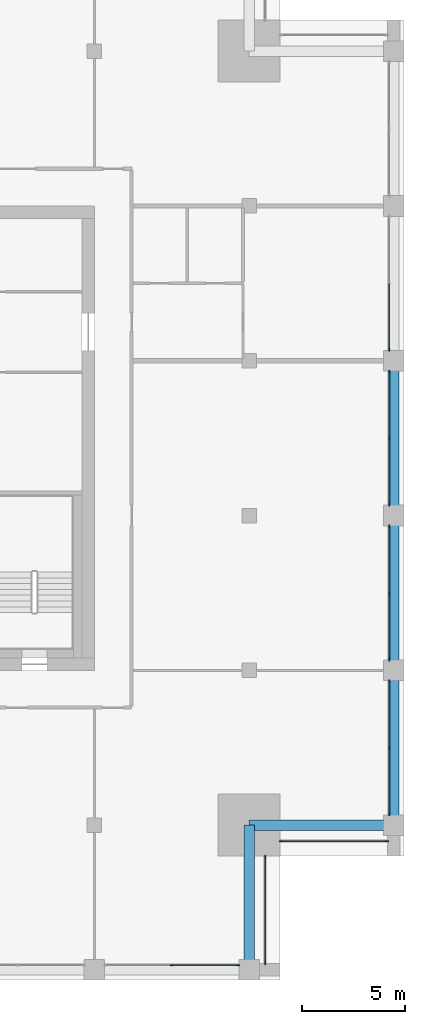
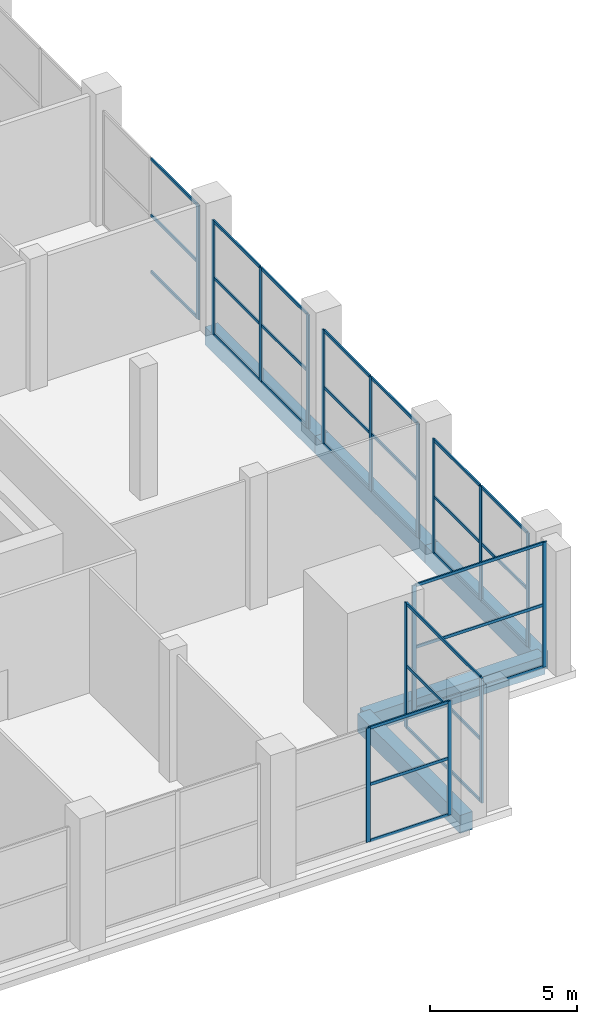
# One storey, part 4 of 15: 46 members, 5 beams, 7 elements without a shape of their own.
"""IFC4 building model written with IfcOpenShell, lengths in metres."""

from ifc_helpers import new_model, si_unit, direction, frame, origin, origin_2d, place, context, subcontext, project, spatial, rectangle, extrude, material, layer, layer_set, material_profile, profile_set, type_object, element, aggregate, save


model = new_model("IFC4")

# Units and contexts
model_context = context("Model", 3, precision=1e-05, world=origin(), true_north=direction((0.0, 1.0)))
body_context = subcontext(model_context, "Body", "Model", "MODEL_VIEW")
ifc_project = project(units=[si_unit("LENGTHUNIT", "METRE"), si_unit("AREAUNIT", "SQUARE_METRE"), si_unit("VOLUMEUNIT", "CUBIC_METRE"), si_unit("PLANEANGLEUNIT", "RADIAN"), si_unit("MASSUNIT", "GRAM", prefix="KILO")], contexts=[model_context])

# Site, building, storey
site_placement = place(None, origin())
site = spatial("IfcSite", under=ifc_project, at=site_placement, CompositionType="ELEMENT")
building_placement = place(site_placement, origin())
building = spatial("IfcBuilding", under=site, at=building_placement, Name="Tamorin Gate", CompositionType="ELEMENT")
storey_placement = place(building_placement, frame((0.0, 0.0, 292.199951171875)))
storey = spatial("IfcBuildingStorey", under=building, at=storey_placement, Name="L73", CompositionType="ELEMENT", Elevation=292.199951171875)

# Curtain wall, members
ifc_material_1 = material(Name="Aluminium mullions and transoms with clear glass", Category="aluminium")
ifc_layer = layer(ifc_material_1, 0.159912109375)
ifc_layer_set = layer_set([ifc_layer], Name="Curtain wall system CW3")
curtain_wall_type = type_object("IfcCurtainWallType", Name="Curtain wall system CW3", PredefinedType="NOTDEFINED", material=ifc_layer_set)
curtain_wall_1_placement = place(storey_placement, origin())
curtain_wall_1 = element("IfcCurtainWall", 1, at=curtain_wall_1_placement, inside=storey, type_object=curtain_wall_type, Name="Curtain wall", PredefinedType="NOTDEFINED")
ifc_material_2 = material(Name="Aluminium", Category="aluminium")
ifc_material_profile_1 = material_profile(ifc_material_2, rectangle(XDim=0.06005859375, YDim=0.159912109375, at=origin_2d()), Name="RECT 60x160")
ifc_profile_set_1 = profile_set([ifc_material_profile_1], Name="Aluminium")
member_type_1 = type_object("IfcMemberType", Name="Aluminium mullion 60x160", PredefinedType="MULLION", material=ifc_profile_set_1)
member_1_placement = place(storey_placement, frame((63.75, 45.719970703125, 0.0), z_axis=(0.0, 0.0, 1.0), x_axis=(0.0, 1.0, 0.0)))
member_1 = element("IfcMember", 2, at=member_1_placement, type_object=member_type_1, Name="CW3 mullion 2", PredefinedType="MULLION", context=body_context, shape_type="SweptSolid", body=[
    extrude(rectangle(XDim=0.06005859375, YDim=0.159912109375, at=origin_2d()), origin(), (0.0, 0.0, 1.0), 4.75),
])
member_2_placement = place(storey_placement, frame((66.969970703125, 45.719970703125, 0.0), z_axis=(0.0, 0.0, 1.0), x_axis=(0.0, 1.0, 0.0)))
member_2 = element("IfcMember", 3, at=member_2_placement, type_object=member_type_1, Name="CW3 mullion 3", PredefinedType="MULLION", context=body_context, shape_type="SweptSolid", body=[
    extrude(rectangle(XDim=0.06005859375, YDim=0.159912109375, at=origin_2d()), origin(), (0.0, 0.0, 1.0), 4.75),
])

curtain_wall_2_placement = place(storey_placement, origin())
curtain_wall_2 = element("IfcCurtainWall", 4, at=curtain_wall_2_placement, inside=storey, type_object=curtain_wall_type, Name="Curtain wall", PredefinedType="NOTDEFINED")
member_3_placement = place(storey_placement, frame((68.280029296875, 45.830078125, 0.0), z_axis=(0.0, 0.0, 1.0), x_axis=(-1.0, 0.0, 0.0)))
member_3 = element("IfcMember", 5, at=member_3_placement, type_object=member_type_1, Name="CW3 mullion 1", PredefinedType="MULLION", context=body_context, shape_type="SweptSolid", body=[
    extrude(rectangle(XDim=0.06005859375, YDim=0.159912109375, at=origin_2d()), origin(), (0.0, 0.0, 1.0), 5.199951171875),
])
member_4_placement = place(storey_placement, frame((68.280029296875, 50.969970703125, 0.0), z_axis=(0.0, 0.0, 1.0), x_axis=(-1.0, 0.0, 0.0)))
member_4 = element("IfcMember", 6, at=member_4_placement, type_object=member_type_1, Name="CW3 mullion 2", PredefinedType="MULLION", context=body_context, shape_type="SweptSolid", body=[
    extrude(rectangle(XDim=0.06005859375, YDim=0.159912109375, at=origin_2d()), origin(), (0.0, 0.0, 1.0), 5.199951171875),
])

curtain_wall_3_placement = place(storey_placement, origin())
curtain_wall_3 = element("IfcCurtainWall", 7, at=curtain_wall_3_placement, inside=storey, type_object=curtain_wall_type, Name="Curtain wall", PredefinedType="NOTDEFINED")
member_5_placement = place(storey_placement, frame((69.030029296875, 51.719970703125, 0.0), z_axis=(0.0, 0.0, 1.0), x_axis=(0.0, 1.0, 0.0)))
member_5 = element("IfcMember", 8, at=member_5_placement, type_object=member_type_1, Name="CW3 mullion 1", PredefinedType="MULLION", context=body_context, shape_type="SweptSolid", body=[
    extrude(rectangle(XDim=0.06005859375, YDim=0.159912109375, at=origin_2d()), origin(), (0.0, 0.0, 1.0), 5.199951171875),
])
member_6_placement = place(storey_placement, frame((74.169921875, 51.719970703125, 0.0), z_axis=(0.0, 0.0, 1.0), x_axis=(0.0, 1.0, 0.0)))
member_6 = element("IfcMember", 9, at=member_6_placement, type_object=member_type_1, Name="CW3 mullion 2", PredefinedType="MULLION", context=body_context, shape_type="SweptSolid", body=[
    extrude(rectangle(XDim=0.06005859375, YDim=0.159912109375, at=origin_2d()), origin(), (0.0, 0.0, 1.0), 5.199951171875),
])

curtain_wall_4_placement = place(storey_placement, origin())
curtain_wall_4 = element("IfcCurtainWall", 10, at=curtain_wall_4_placement, inside=storey, type_object=curtain_wall_type, Name="Curtain wall", PredefinedType="NOTDEFINED")
member_7_placement = place(storey_placement, frame((74.280029296875, 53.030029296875, 0.0), z_axis=(0.0, 0.0, 1.0), x_axis=(-1.0, 0.0, 0.0)))
member_7 = element("IfcMember", 11, at=member_7_placement, type_object=member_type_1, Name="CW3 mullion 1", PredefinedType="MULLION", context=body_context, shape_type="SweptSolid", body=[
    extrude(rectangle(XDim=0.06005859375, YDim=0.159912109375, at=origin_2d()), origin(), (0.0, 0.0, 1.0), 4.75),
])
member_8_placement = place(storey_placement, frame((74.280029296875, 56.25, 0.0), z_axis=(0.0, 0.0, 1.0), x_axis=(-1.0, 0.0, 0.0)))
member_8 = element("IfcMember", 12, at=member_8_placement, type_object=member_type_1, Name="CW3 mullion 2", PredefinedType="MULLION", context=body_context, shape_type="SweptSolid", body=[
    extrude(rectangle(XDim=0.06005859375, YDim=0.159912109375, at=origin_2d()), origin(), (0.0, 0.0, 1.0), 4.75),
])
member_9_placement = place(storey_placement, frame((74.280029296875, 59.469970703125, 0.0), z_axis=(0.0, 0.0, 1.0), x_axis=(-1.0, 0.0, 0.0)))
member_9 = element("IfcMember", 13, at=member_9_placement, type_object=member_type_1, Name="CW3 mullion 3", PredefinedType="MULLION", context=body_context, shape_type="SweptSolid", body=[
    extrude(rectangle(XDim=0.06005859375, YDim=0.159912109375, at=origin_2d()), origin(), (0.0, 0.0, 1.0), 4.75),
])

curtain_wall_5_placement = place(storey_placement, origin())
curtain_wall_5 = element("IfcCurtainWall", 14, at=curtain_wall_5_placement, inside=storey, type_object=curtain_wall_type, Name="Curtain wall", PredefinedType="NOTDEFINED")
member_10_placement = place(storey_placement, frame((74.280029296875, 60.530029296875, 0.0), z_axis=(0.0, 0.0, 1.0), x_axis=(-1.0, 0.0, 0.0)))
member_10 = element("IfcMember", 15, at=member_10_placement, type_object=member_type_1, Name="CW3 mullion 1", PredefinedType="MULLION", context=body_context, shape_type="SweptSolid", body=[
    extrude(rectangle(XDim=0.06005859375, YDim=0.159912109375, at=origin_2d()), origin(), (0.0, 0.0, 1.0), 4.75),
])
member_11_placement = place(storey_placement, frame((74.280029296875, 63.75, 0.0), z_axis=(0.0, 0.0, 1.0), x_axis=(-1.0, 0.0, 0.0)))
member_11 = element("IfcMember", 16, at=member_11_placement, type_object=member_type_1, Name="CW3 mullion 2", PredefinedType="MULLION", context=body_context, shape_type="SweptSolid", body=[
    extrude(rectangle(XDim=0.06005859375, YDim=0.159912109375, at=origin_2d()), origin(), (0.0, 0.0, 1.0), 4.75),
])
member_12_placement = place(storey_placement, frame((74.280029296875, 66.969970703125, 0.0), z_axis=(0.0, 0.0, 1.0), x_axis=(-1.0, 0.0, 0.0)))
member_12 = element("IfcMember", 17, at=member_12_placement, type_object=member_type_1, Name="CW3 mullion 3", PredefinedType="MULLION", context=body_context, shape_type="SweptSolid", body=[
    extrude(rectangle(XDim=0.06005859375, YDim=0.159912109375, at=origin_2d()), origin(), (0.0, 0.0, 1.0), 4.75),
])

curtain_wall_6_placement = place(storey_placement, origin())
curtain_wall_6 = element("IfcCurtainWall", 18, at=curtain_wall_6_placement, inside=storey, type_object=curtain_wall_type, Name="Curtain wall", PredefinedType="NOTDEFINED")
member_13_placement = place(storey_placement, frame((74.280029296875, 68.030029296875, 0.0), z_axis=(0.0, 0.0, 1.0), x_axis=(-1.0, 0.0, 0.0)))
member_13 = element("IfcMember", 19, at=member_13_placement, type_object=member_type_1, Name="CW3 mullion 1", PredefinedType="MULLION", context=body_context, shape_type="SweptSolid", body=[
    extrude(rectangle(XDim=0.06005859375, YDim=0.159912109375, at=origin_2d()), origin(), (0.0, 0.0, 1.0), 4.75),
])
member_14_placement = place(storey_placement, frame((74.280029296875, 71.25, 0.0), z_axis=(0.0, 0.0, 1.0), x_axis=(-1.0, 0.0, 0.0)))
member_14 = element("IfcMember", 20, at=member_14_placement, type_object=member_type_1, Name="CW3 mullion 2", PredefinedType="MULLION", context=body_context, shape_type="SweptSolid", body=[
    extrude(rectangle(XDim=0.06005859375, YDim=0.159912109375, at=origin_2d()), origin(), (0.0, 0.0, 1.0), 4.75),
])
member_15_placement = place(storey_placement, frame((74.280029296875, 74.469970703125, 0.0), z_axis=(0.0, 0.0, 1.0), x_axis=(-1.0, 0.0, 0.0)))
member_15 = element("IfcMember", 21, at=member_15_placement, type_object=member_type_1, Name="CW3 mullion 3", PredefinedType="MULLION", context=body_context, shape_type="SweptSolid", body=[
    extrude(rectangle(XDim=0.06005859375, YDim=0.159912109375, at=origin_2d()), origin(), (0.0, 0.0, 1.0), 4.75),
])

# Curtain wall, member
curtain_wall_7_placement = place(storey_placement, origin())
curtain_wall_7 = element("IfcCurtainWall", 22, at=curtain_wall_7_placement, inside=storey, type_object=curtain_wall_type, Name="Curtain wall", PredefinedType="NOTDEFINED")
member_16_placement = place(storey_placement, frame((74.280029296875, 75.530029296875, 0.0), z_axis=(0.0, 0.0, 1.0), x_axis=(-1.0, 0.0, 0.0)))
member_16 = element("IfcMember", 23, at=member_16_placement, type_object=member_type_1, Name="CW3 mullion 1", PredefinedType="MULLION", context=body_context, shape_type="SweptSolid", body=[
    extrude(rectangle(XDim=0.06005859375, YDim=0.159912109375, at=origin_2d()), origin(), (0.0, 0.0, 1.0), 4.75),
])

# Member
ifc_material_profile_2 = material_profile(ifc_material_2, rectangle(XDim=0.06005859375, YDim=0.1201171875, at=origin_2d()), Name="RECT 60x120")
ifc_profile_set_2 = profile_set([ifc_material_profile_2], Name="Aluminium")
member_type_2 = type_object("IfcMemberType", Name="Aluminium transom 60x120", PredefinedType="USERDEFINED", material=ifc_profile_set_2)
member_17_placement = place(storey_placement, frame((63.780029296875, 45.719970703125, 0.030029296875), z_axis=(1.0, 0.0, 0.0), x_axis=(0.0, 1.0, 0.0)))
member_17 = element("IfcMember", 24, at=member_17_placement, type_object=member_type_2, Name="CW3 transom 2.1", ObjectType="TRANSOM", PredefinedType="USERDEFINED", context=body_context, shape_type="SweptSolid", body=[
    extrude(rectangle(XDim=0.06005859375, YDim=0.1201171875, at=origin_2d()), origin(), (0.0, 0.0, 1.0), 3.159912109375),
])

member_18_placement = place(storey_placement, frame((63.780029296875, 45.719970703125, 2.375), z_axis=(1.0, 0.0, 0.0), x_axis=(0.0, 1.0, 0.0)))
member_18 = element("IfcMember", 25, at=member_18_placement, type_object=member_type_2, Name="CW3 transom 2.2", ObjectType="TRANSOM", PredefinedType="USERDEFINED", context=body_context, shape_type="SweptSolid", body=[
    extrude(rectangle(XDim=0.06005859375, YDim=0.1201171875, at=origin_2d()), origin(), (0.0, 0.0, 1.0), 3.159912109375),
])

member_19_placement = place(storey_placement, frame((63.780029296875, 45.719970703125, 4.719970703125), z_axis=(1.0, 0.0, 0.0), x_axis=(0.0, 1.0, 0.0)))
member_19 = element("IfcMember", 26, at=member_19_placement, type_object=member_type_2, Name="CW3 transom 2.3", ObjectType="TRANSOM", PredefinedType="USERDEFINED", context=body_context, shape_type="SweptSolid", body=[
    extrude(rectangle(XDim=0.06005859375, YDim=0.1201171875, at=origin_2d()), origin(), (0.0, 0.0, 1.0), 3.159912109375),
])

aggregate(curtain_wall_1, [member_1, member_2, member_17, member_18, member_19])

member_20_placement = place(storey_placement, frame((68.280029296875, 45.860107421875, 0.030029296875), z_axis=(0.0, 1.0, 0.0), x_axis=(-1.0, 0.0, 0.0)))
member_20 = element("IfcMember", 27, at=member_20_placement, type_object=member_type_2, Name="CW3 transom 1.1", ObjectType="TRANSOM", PredefinedType="USERDEFINED", context=body_context, shape_type="SweptSolid", body=[
    extrude(rectangle(XDim=0.06005859375, YDim=0.1201171875, at=origin_2d()), origin(), (0.0, 0.0, 1.0), 5.079833984375),
])

member_21_placement = place(storey_placement, frame((68.280029296875, 45.860107421875, 2.60009765625), z_axis=(0.0, 1.0, 0.0), x_axis=(-1.0, 0.0, 0.0)))
member_21 = element("IfcMember", 28, at=member_21_placement, type_object=member_type_2, Name="CW3 transom 1.2", ObjectType="TRANSOM", PredefinedType="USERDEFINED", context=body_context, shape_type="SweptSolid", body=[
    extrude(rectangle(XDim=0.06005859375, YDim=0.1201171875, at=origin_2d()), origin(), (0.0, 0.0, 1.0), 5.079833984375),
])

member_22_placement = place(storey_placement, frame((68.280029296875, 45.860107421875, 5.170166015625), z_axis=(0.0, 1.0, 0.0), x_axis=(-1.0, 0.0, 0.0)))
member_22 = element("IfcMember", 29, at=member_22_placement, type_object=member_type_2, Name="CW3 transom 1.3", ObjectType="TRANSOM", PredefinedType="USERDEFINED", context=body_context, shape_type="SweptSolid", body=[
    extrude(rectangle(XDim=0.06005859375, YDim=0.1201171875, at=origin_2d()), origin(), (0.0, 0.0, 1.0), 5.079833984375),
])

aggregate(curtain_wall_2, [member_3, member_4, member_20, member_21, member_22])

member_23_placement = place(storey_placement, frame((69.06005859375, 51.719970703125, 0.030029296875), z_axis=(1.0, 0.0, 0.0), x_axis=(0.0, 1.0, 0.0)))
member_23 = element("IfcMember", 30, at=member_23_placement, type_object=member_type_2, Name="CW3 transom 1.1", ObjectType="TRANSOM", PredefinedType="USERDEFINED", context=body_context, shape_type="SweptSolid", body=[
    extrude(rectangle(XDim=0.06005859375, YDim=0.1201171875, at=origin_2d()), origin(), (0.0, 0.0, 1.0), 5.079833984375),
])

member_24_placement = place(storey_placement, frame((69.06005859375, 51.719970703125, 2.60009765625), z_axis=(1.0, 0.0, 0.0), x_axis=(0.0, 1.0, 0.0)))
member_24 = element("IfcMember", 31, at=member_24_placement, type_object=member_type_2, Name="CW3 transom 1.2", ObjectType="TRANSOM", PredefinedType="USERDEFINED", context=body_context, shape_type="SweptSolid", body=[
    extrude(rectangle(XDim=0.06005859375, YDim=0.1201171875, at=origin_2d()), origin(), (0.0, 0.0, 1.0), 5.079833984375),
])

member_25_placement = place(storey_placement, frame((69.06005859375, 51.719970703125, 5.170166015625), z_axis=(1.0, 0.0, 0.0), x_axis=(0.0, 1.0, 0.0)))
member_25 = element("IfcMember", 32, at=member_25_placement, type_object=member_type_2, Name="CW3 transom 1.3", ObjectType="TRANSOM", PredefinedType="USERDEFINED", context=body_context, shape_type="SweptSolid", body=[
    extrude(rectangle(XDim=0.06005859375, YDim=0.1201171875, at=origin_2d()), origin(), (0.0, 0.0, 1.0), 5.079833984375),
])

aggregate(curtain_wall_3, [member_5, member_6, member_23, member_24, member_25])

member_26_placement = place(storey_placement, frame((74.280029296875, 53.06005859375, 0.030029296875), z_axis=(0.0, 1.0, 0.0), x_axis=(-1.0, 0.0, 0.0)))
member_26 = element("IfcMember", 33, at=member_26_placement, type_object=member_type_2, Name="CW3 transom 1.1", ObjectType="TRANSOM", PredefinedType="USERDEFINED", context=body_context, shape_type="SweptSolid", body=[
    extrude(rectangle(XDim=0.06005859375, YDim=0.1201171875, at=origin_2d()), origin(), (0.0, 0.0, 1.0), 3.159912109375),
])

member_27_placement = place(storey_placement, frame((74.280029296875, 53.06005859375, 2.375), z_axis=(0.0, 1.0, 0.0), x_axis=(-1.0, 0.0, 0.0)))
member_27 = element("IfcMember", 34, at=member_27_placement, type_object=member_type_2, Name="CW3 transom 1.2", ObjectType="TRANSOM", PredefinedType="USERDEFINED", context=body_context, shape_type="SweptSolid", body=[
    extrude(rectangle(XDim=0.06005859375, YDim=0.1201171875, at=origin_2d()), origin(), (0.0, 0.0, 1.0), 3.159912109375),
])

member_28_placement = place(storey_placement, frame((74.280029296875, 53.06005859375, 4.719970703125), z_axis=(0.0, 1.0, 0.0), x_axis=(-1.0, 0.0, 0.0)))
member_28 = element("IfcMember", 35, at=member_28_placement, type_object=member_type_2, Name="CW3 transom 1.3", ObjectType="TRANSOM", PredefinedType="USERDEFINED", context=body_context, shape_type="SweptSolid", body=[
    extrude(rectangle(XDim=0.06005859375, YDim=0.1201171875, at=origin_2d()), origin(), (0.0, 0.0, 1.0), 3.159912109375),
])

member_29_placement = place(storey_placement, frame((74.280029296875, 56.280029296875, 0.030029296875), z_axis=(0.0, 1.0, 0.0), x_axis=(-1.0, 0.0, 0.0)))
member_29 = element("IfcMember", 36, at=member_29_placement, type_object=member_type_2, Name="CW3 transom 2.1", ObjectType="TRANSOM", PredefinedType="USERDEFINED", context=body_context, shape_type="SweptSolid", body=[
    extrude(rectangle(XDim=0.06005859375, YDim=0.1201171875, at=origin_2d()), origin(), (0.0, 0.0, 1.0), 3.159912109375),
])

member_30_placement = place(storey_placement, frame((74.280029296875, 56.280029296875, 2.375), z_axis=(0.0, 1.0, 0.0), x_axis=(-1.0, 0.0, 0.0)))
member_30 = element("IfcMember", 37, at=member_30_placement, type_object=member_type_2, Name="CW3 transom 2.2", ObjectType="TRANSOM", PredefinedType="USERDEFINED", context=body_context, shape_type="SweptSolid", body=[
    extrude(rectangle(XDim=0.06005859375, YDim=0.1201171875, at=origin_2d()), origin(), (0.0, 0.0, 1.0), 3.159912109375),
])

member_31_placement = place(storey_placement, frame((74.280029296875, 56.280029296875, 4.719970703125), z_axis=(0.0, 1.0, 0.0), x_axis=(-1.0, 0.0, 0.0)))
member_31 = element("IfcMember", 38, at=member_31_placement, type_object=member_type_2, Name="CW3 transom 2.3", ObjectType="TRANSOM", PredefinedType="USERDEFINED", context=body_context, shape_type="SweptSolid", body=[
    extrude(rectangle(XDim=0.06005859375, YDim=0.1201171875, at=origin_2d()), origin(), (0.0, 0.0, 1.0), 3.159912109375),
])

aggregate(curtain_wall_4, [member_7, member_8, member_9, member_26, member_27, member_28, member_29, member_30, member_31])

member_32_placement = place(storey_placement, frame((74.280029296875, 60.56005859375, 0.030029296875), z_axis=(0.0, 1.0, 0.0), x_axis=(-1.0, 0.0, 0.0)))
member_32 = element("IfcMember", 39, at=member_32_placement, type_object=member_type_2, Name="CW3 transom 1.1", ObjectType="TRANSOM", PredefinedType="USERDEFINED", context=body_context, shape_type="SweptSolid", body=[
    extrude(rectangle(XDim=0.06005859375, YDim=0.1201171875, at=origin_2d()), origin(), (0.0, 0.0, 1.0), 3.159912109375),
])

member_33_placement = place(storey_placement, frame((74.280029296875, 60.56005859375, 2.375), z_axis=(0.0, 1.0, 0.0), x_axis=(-1.0, 0.0, 0.0)))
member_33 = element("IfcMember", 40, at=member_33_placement, type_object=member_type_2, Name="CW3 transom 1.2", ObjectType="TRANSOM", PredefinedType="USERDEFINED", context=body_context, shape_type="SweptSolid", body=[
    extrude(rectangle(XDim=0.06005859375, YDim=0.1201171875, at=origin_2d()), origin(), (0.0, 0.0, 1.0), 3.159912109375),
])

member_34_placement = place(storey_placement, frame((74.280029296875, 60.56005859375, 4.719970703125), z_axis=(0.0, 1.0, 0.0), x_axis=(-1.0, 0.0, 0.0)))
member_34 = element("IfcMember", 41, at=member_34_placement, type_object=member_type_2, Name="CW3 transom 1.3", ObjectType="TRANSOM", PredefinedType="USERDEFINED", context=body_context, shape_type="SweptSolid", body=[
    extrude(rectangle(XDim=0.06005859375, YDim=0.1201171875, at=origin_2d()), origin(), (0.0, 0.0, 1.0), 3.159912109375),
])

member_35_placement = place(storey_placement, frame((74.280029296875, 63.780029296875, 0.030029296875), z_axis=(0.0, 1.0, 0.0), x_axis=(-1.0, 0.0, 0.0)))
member_35 = element("IfcMember", 42, at=member_35_placement, type_object=member_type_2, Name="CW3 transom 2.1", ObjectType="TRANSOM", PredefinedType="USERDEFINED", context=body_context, shape_type="SweptSolid", body=[
    extrude(rectangle(XDim=0.06005859375, YDim=0.1201171875, at=origin_2d()), origin(), (0.0, 0.0, 1.0), 3.159912109375),
])

member_36_placement = place(storey_placement, frame((74.280029296875, 63.780029296875, 2.375), z_axis=(0.0, 1.0, 0.0), x_axis=(-1.0, 0.0, 0.0)))
member_36 = element("IfcMember", 43, at=member_36_placement, type_object=member_type_2, Name="CW3 transom 2.2", ObjectType="TRANSOM", PredefinedType="USERDEFINED", context=body_context, shape_type="SweptSolid", body=[
    extrude(rectangle(XDim=0.06005859375, YDim=0.1201171875, at=origin_2d()), origin(), (0.0, 0.0, 1.0), 3.159912109375),
])

member_37_placement = place(storey_placement, frame((74.280029296875, 63.780029296875, 4.719970703125), z_axis=(0.0, 1.0, 0.0), x_axis=(-1.0, 0.0, 0.0)))
member_37 = element("IfcMember", 44, at=member_37_placement, type_object=member_type_2, Name="CW3 transom 2.3", ObjectType="TRANSOM", PredefinedType="USERDEFINED", context=body_context, shape_type="SweptSolid", body=[
    extrude(rectangle(XDim=0.06005859375, YDim=0.1201171875, at=origin_2d()), origin(), (0.0, 0.0, 1.0), 3.159912109375),
])

aggregate(curtain_wall_5, [member_10, member_11, member_12, member_32, member_33, member_34, member_35, member_36, member_37])

member_38_placement = place(storey_placement, frame((74.280029296875, 68.06005859375, 0.030029296875), z_axis=(0.0, 1.0, 0.0), x_axis=(-1.0, 0.0, 0.0)))
member_38 = element("IfcMember", 45, at=member_38_placement, type_object=member_type_2, Name="CW3 transom 1.1", ObjectType="TRANSOM", PredefinedType="USERDEFINED", context=body_context, shape_type="SweptSolid", body=[
    extrude(rectangle(XDim=0.06005859375, YDim=0.1201171875, at=origin_2d()), origin(), (0.0, 0.0, 1.0), 3.159912109375),
])

member_39_placement = place(storey_placement, frame((74.280029296875, 68.06005859375, 2.375), z_axis=(0.0, 1.0, 0.0), x_axis=(-1.0, 0.0, 0.0)))
member_39 = element("IfcMember", 46, at=member_39_placement, type_object=member_type_2, Name="CW3 transom 1.2", ObjectType="TRANSOM", PredefinedType="USERDEFINED", context=body_context, shape_type="SweptSolid", body=[
    extrude(rectangle(XDim=0.06005859375, YDim=0.1201171875, at=origin_2d()), origin(), (0.0, 0.0, 1.0), 3.159912109375),
])

member_40_placement = place(storey_placement, frame((74.280029296875, 68.06005859375, 4.719970703125), z_axis=(0.0, 1.0, 0.0), x_axis=(-1.0, 0.0, 0.0)))
member_40 = element("IfcMember", 47, at=member_40_placement, type_object=member_type_2, Name="CW3 transom 1.3", ObjectType="TRANSOM", PredefinedType="USERDEFINED", context=body_context, shape_type="SweptSolid", body=[
    extrude(rectangle(XDim=0.06005859375, YDim=0.1201171875, at=origin_2d()), origin(), (0.0, 0.0, 1.0), 3.159912109375),
])

member_41_placement = place(storey_placement, frame((74.280029296875, 71.280029296875, 0.030029296875), z_axis=(0.0, 1.0, 0.0), x_axis=(-1.0, 0.0, 0.0)))
member_41 = element("IfcMember", 48, at=member_41_placement, type_object=member_type_2, Name="CW3 transom 2.1", ObjectType="TRANSOM", PredefinedType="USERDEFINED", context=body_context, shape_type="SweptSolid", body=[
    extrude(rectangle(XDim=0.06005859375, YDim=0.1201171875, at=origin_2d()), origin(), (0.0, 0.0, 1.0), 3.159912109375),
])

member_42_placement = place(storey_placement, frame((74.280029296875, 71.280029296875, 2.375), z_axis=(0.0, 1.0, 0.0), x_axis=(-1.0, 0.0, 0.0)))
member_42 = element("IfcMember", 49, at=member_42_placement, type_object=member_type_2, Name="CW3 transom 2.2", ObjectType="TRANSOM", PredefinedType="USERDEFINED", context=body_context, shape_type="SweptSolid", body=[
    extrude(rectangle(XDim=0.06005859375, YDim=0.1201171875, at=origin_2d()), origin(), (0.0, 0.0, 1.0), 3.159912109375),
])

member_43_placement = place(storey_placement, frame((74.280029296875, 71.280029296875, 4.719970703125), z_axis=(0.0, 1.0, 0.0), x_axis=(-1.0, 0.0, 0.0)))
member_43 = element("IfcMember", 50, at=member_43_placement, type_object=member_type_2, Name="CW3 transom 2.3", ObjectType="TRANSOM", PredefinedType="USERDEFINED", context=body_context, shape_type="SweptSolid", body=[
    extrude(rectangle(XDim=0.06005859375, YDim=0.1201171875, at=origin_2d()), origin(), (0.0, 0.0, 1.0), 3.159912109375),
])

aggregate(curtain_wall_6, [member_13, member_14, member_15, member_38, member_39, member_40, member_41, member_42, member_43])

member_44_placement = place(storey_placement, frame((74.280029296875, 75.56005859375, 0.030029296875), z_axis=(0.0, 1.0, 0.0), x_axis=(-1.0, 0.0, 0.0)))
member_44 = element("IfcMember", 51, at=member_44_placement, type_object=member_type_2, Name="CW3 transom 1.1", ObjectType="TRANSOM", PredefinedType="USERDEFINED", context=body_context, shape_type="SweptSolid", body=[
    extrude(rectangle(XDim=0.06005859375, YDim=0.1201171875, at=origin_2d()), origin(), (0.0, 0.0, 1.0), 3.159912109375),
])

member_45_placement = place(storey_placement, frame((74.280029296875, 75.56005859375, 2.375), z_axis=(0.0, 1.0, 0.0), x_axis=(-1.0, 0.0, 0.0)))
member_45 = element("IfcMember", 52, at=member_45_placement, type_object=member_type_2, Name="CW3 transom 1.2", ObjectType="TRANSOM", PredefinedType="USERDEFINED", context=body_context, shape_type="SweptSolid", body=[
    extrude(rectangle(XDim=0.06005859375, YDim=0.1201171875, at=origin_2d()), origin(), (0.0, 0.0, 1.0), 3.159912109375),
])

member_46_placement = place(storey_placement, frame((74.280029296875, 75.56005859375, 4.719970703125), z_axis=(0.0, 1.0, 0.0), x_axis=(-1.0, 0.0, 0.0)))
member_46 = element("IfcMember", 53, at=member_46_placement, type_object=member_type_2, Name="CW3 transom 1.3", ObjectType="TRANSOM", PredefinedType="USERDEFINED", context=body_context, shape_type="SweptSolid", body=[
    extrude(rectangle(XDim=0.06005859375, YDim=0.1201171875, at=origin_2d()), origin(), (0.0, 0.0, 1.0), 3.159912109375),
])

aggregate(curtain_wall_7, [member_16, member_44, member_45, member_46])

# Beams
ifc_material_3 = material(Name="Concrete C50/60", Category="concrete")
ifc_material_profile_3 = material_profile(ifc_material_3, rectangle(XDim=0.5, YDim=0.75, at=origin_2d()), Name="RC 500x750")
ifc_profile_set_3 = profile_set([ifc_material_profile_3], Name="Concrete C50/60")
beam_type = type_object("IfcBeamType", Name="RC spandrel 500x750 C50/60", PredefinedType="BEAM", material=ifc_profile_set_3)
for number, where, z_axis, x_axis, name in (
    (54, (74.5, 52.5, -0.375), (0.0, 1.0, 0.0), (-1.0, 0.0, 0.0), "Spandrel beam L73"),
    (55, (74.5, 60.0, -0.375), (0.0, 1.0, 0.0), (-1.0, 0.0, 0.0), "Spandrel beam L73"),
    (56, (74.5, 67.5, -0.375), (0.0, 1.0, 0.0), (-1.0, 0.0, 0.0), "Spandrel beam L73"),
):
    element("IfcBeam", number, at=place(storey_placement, frame(where, z_axis=z_axis, x_axis=x_axis)), inside=storey, type_object=beam_type, Name=name, PredefinedType="BEAM", context=body_context, shape_type="SweptSolid", body=[
        extrude(rectangle(XDim=0.5, YDim=0.75, at=origin_2d()), origin(), (0.0, 0.0, 1.0), 7.5),
    ])
for number, where, z_axis, x_axis, name in (
    (57, (67.5, 52.5, -0.375), (0.0, -1.0, 0.0), (1.0, 0.0, 0.0), "Corner tie beam L73"),
    (58, (67.5, 52.5, -0.375), (1.0, 0.0, 0.0), (0.0, 1.0, 0.0), "Corner tie beam L73"),
):
    element("IfcBeam", number, at=place(storey_placement, frame(where, z_axis=z_axis, x_axis=x_axis)), inside=storey, type_object=beam_type, Name=name, PredefinedType="BEAM", context=body_context, shape_type="SweptSolid", body=[
        extrude(rectangle(XDim=0.5, YDim=0.75, at=origin_2d()), origin(), (0.0, 0.0, 1.0), 7.0),
    ])

save(model, "model.ifc")
